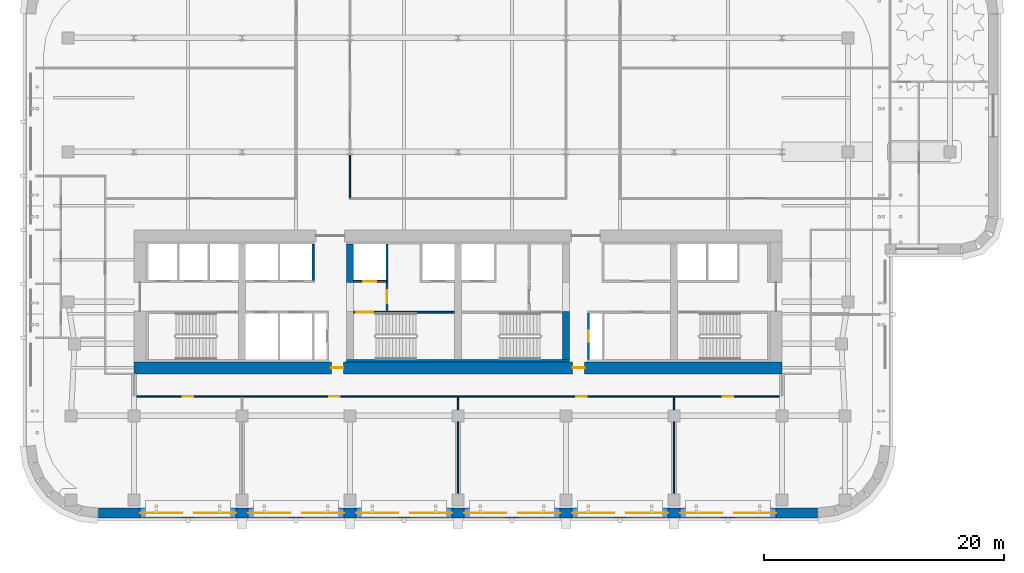
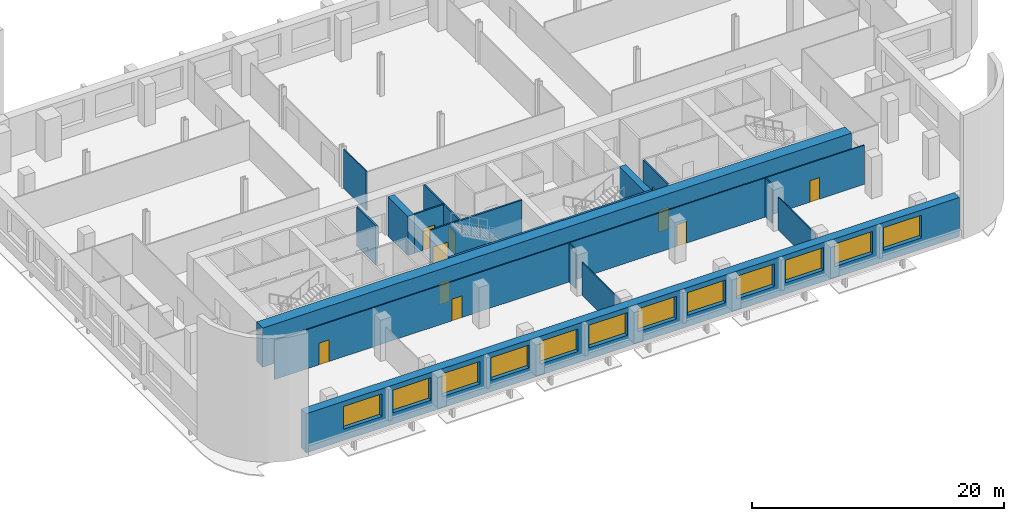
# One storey, part 4 of 13: 17 walls, 12 windows, 10 doors, 22 openings.
"""IFC4 building model written with IfcOpenShell, lengths in metres."""

from ifc_helpers import new_model, si_unit, direction, frame, frame_2d, origin, place, context, subcontext, project, spatial, rectangle, extrude, material, layer, layer_set, type_object, element, fill, save


model = new_model("IFC4")

# Units and contexts
model_context = context("Model", 3, precision=1e-05, world=origin(), true_north=direction((0.0, 1.0)))
body_context = subcontext(model_context, "Body", "Model", "MODEL_VIEW")
ifc_project = project(units=[si_unit("LENGTHUNIT", "METRE"), si_unit("AREAUNIT", "SQUARE_METRE"), si_unit("VOLUMEUNIT", "CUBIC_METRE"), si_unit("PLANEANGLEUNIT", "RADIAN"), si_unit("MASSUNIT", "GRAM", prefix="KILO")], contexts=[model_context])

# Site, building, storey
site_placement = place(None, origin())
site = spatial("IfcSite", under=ifc_project, at=site_placement, CompositionType="ELEMENT")
building_placement = place(site_placement, origin())
building = spatial("IfcBuilding", under=site, at=building_placement, Name="Zellij Exchange Tower", CompositionType="ELEMENT")
storey_placement = place(building_placement, frame((0.0, 0.0, 108.5)))
storey = spatial("IfcBuildingStorey", under=building, at=storey_placement, Name="L23", CompositionType="ELEMENT", Elevation=108.5)

# Walls
ifc_material_1 = material(Name="Concrete C70/85", Category="concrete")
ifc_layer_1 = layer(ifc_material_1, 0.60009765625)
ifc_layer_set_1 = layer_set([ifc_layer_1], Name="Concrete C70/85")
wall_type_1 = type_object("IfcWallType", Name="CORE-CW 600 C70/85", PredefinedType="SHEAR", material=ifc_layer_set_1)
wall_1_placement = place(storey_placement, frame((-9.0, -6.375, 0.0), z_axis=(0.0, 0.0, 1.0), x_axis=(0.0, 1.0, 0.0)))
element("IfcWall", 1, at=wall_1_placement, inside=storey, type_object=wall_type_1, Name="Core cross wall pier x -9 b L23", PredefinedType="SHEAR", context=body_context, shape_type="SweptSolid", body=[
    extrude(rectangle(XDim=3.175048828125, YDim=0.60009765625, at=frame_2d((1.58740234375, 0.0))), origin(), (0.0, 0.0, 1.0), 3.800048828125),
])
wall_2_placement = place(storey_placement, frame((9.0, -12.800048828125, 0.0), z_axis=(0.0, 0.0, 1.0), x_axis=(0.0, 1.0, 0.0)))
element("IfcWall", 2, at=wall_2_placement, inside=storey, type_object=wall_type_1, Name="Core cross wall pier x 9 a L23", PredefinedType="SHEAR", context=body_context, shape_type="SweptSolid", body=[
    extrude(rectangle(XDim=4.0, YDim=0.60009765625, at=frame_2d((2.0, 0.0))), origin(), (0.0, 0.0, 1.0), 3.800048828125),
])
ifc_material_2 = material(Name="Concrete C30/37", Category="concrete")
ifc_layer_2 = layer(ifc_material_2, 0.199951171875)
ifc_layer_set_2 = layer_set([ifc_layer_2], Name="Concrete C30/37")
wall_type_2 = type_object("IfcWallType", Name="CORE-LW 200 C30/37", PredefinedType="SHEAR", material=ifc_layer_set_2)
wall_3_placement = place(storey_placement, frame((-9.300048828125, -12.89990234375, 0.0), z_axis=(0.0, 0.0, 1.0), x_axis=(1.0, 0.0, 0.0)))
element("IfcWall", 3, at=wall_3_placement, inside=storey, type_object=wall_type_2, Name="Core wall lining rear.1 L23", PredefinedType="SHEAR", context=body_context, shape_type="SweptSolid", body=[
    extrude(rectangle(XDim=18.60009765625, YDim=0.199951171875, at=frame_2d((9.300048828125, 0.0))), origin(), (0.0, 0.0, 1.0), 3.800048828125),
])

# Wall, opening, door
ifc_material_3 = material(Name="Gypsum shaft wall system")
ifc_layer_3 = layer(ifc_material_3, 0.14990234375)
ifc_layer_set_3 = layer_set([ifc_layer_3], Name="Gypsum shaft wall system")
wall_type_3 = type_object("IfcWallType", Name="CORE-PW 150 Firefighting lobby wall", PredefinedType="PARTITIONING", material=ifc_layer_set_3)
wall_4_placement = place(storey_placement, frame((-5.925048828125, -8.800048828125, 0.0), z_axis=(0.0, 0.0, 1.0), x_axis=(0.0, 1.0, 0.0)))
wall_4 = element("IfcWall", 4, at=wall_4_placement, inside=storey, type_object=wall_type_3, Name="Firefighting lobby wall L23", PredefinedType="PARTITIONING", context=body_context, shape_type="SweptSolid", body=[
    extrude(rectangle(XDim=2.425048828125, YDim=0.14990234375, at=frame_2d((1.21240234375, 0.0))), origin(), (0.0, 0.0, 1.0), 3.800048828125),
])
opening_1_placement = place(wall_4_placement, frame((0.662109375, 0.0, 0.0)))
opening_1 = element("IfcOpeningElement", 5, at=opening_1_placement, cuts=wall_4, Name="Opening CA-13.15", PredefinedType="OPENING", context=body_context, shape_type="SweptSolid", body=[
    extrude(rectangle(XDim=1.10009765625, YDim=2.10009765625, at=frame_2d((0.550048828125, 1.050048828125))), frame((0.0, 0.0869140625, 0.0), z_axis=(0.0, -1.0, 0.0), x_axis=(1.0, 0.0, 0.0)), (0.0, 0.0, 1.0), 0.173828125),
])
ifc_material_4 = material(Name="Hollow metal fire door")
door_type_1 = type_object("IfcDoorType", Name="CORE-D F Firefighting lobby door 1100x2100 1 HR", OperationType="NOTDEFINED", PredefinedType="DOOR", material=ifc_material_4)
door_1_placement = place(opening_1_placement, origin())
door_1 = element("IfcDoor", 6, at=door_1_placement, inside=storey, type_object=door_type_1, Name="Firefighting lobby door CA-13.15", OperationType="SINGLE_SWING_LEFT", OverallHeight=2.10009765625, OverallWidth=1.10009765625, PredefinedType="DOOR", context=body_context, shape_type="SweptSolid", body=[
    extrude(rectangle(XDim=1.10009765625, YDim=2.10009765625, at=frame_2d((0.550048828125, 1.050048828125))), frame((0.0, 0.02490234375, 0.0), z_axis=(0.0, -1.0, 0.0), x_axis=(1.0, 0.0, 0.0)), (0.0, 0.0, 1.0), 0.050048828125),
])
fill(opening_1, door_1)

ifc_material_5 = material(Name="Gypsum board partition")
ifc_layer_4 = layer(ifc_material_5, 0.14990234375)
ifc_layer_set_4 = layer_set([ifc_layer_4], Name="Gypsum board partition")
wall_type_4 = type_object("IfcWallType", Name="CORE-PW 150 Lift lobby wall", PredefinedType="PARTITIONING", material=ifc_layer_set_4)
wall_5_placement = place(storey_placement, frame((10.875, -12.800048828125, 0.0), z_axis=(0.0, 0.0, 1.0), x_axis=(0.0, 1.0, 0.0)))
wall_5 = element("IfcWall", 7, at=wall_5_placement, inside=storey, type_object=wall_type_4, Name="Lift lobby wall L23", PredefinedType="PARTITIONING", context=body_context, shape_type="SweptSolid", body=[
    extrude(rectangle(XDim=3.85009765625, YDim=0.14990234375, at=frame_2d((1.925048828125, 0.0))), origin(), (0.0, 0.0, 1.0), 3.800048828125),
])
opening_2_placement = place(wall_5_placement, frame((1.47509765625, 0.0, 0.0)))
opening_2 = element("IfcOpeningElement", 8, at=opening_2_placement, cuts=wall_5, Name="Opening CA-13.22", PredefinedType="OPENING", context=body_context, shape_type="SweptSolid", body=[
    extrude(rectangle(XDim=0.89990234375, YDim=2.10009765625, at=frame_2d((0.449951171875, 1.050048828125))), frame((0.0, 0.0869140625, 0.0), z_axis=(0.0, -1.0, 0.0), x_axis=(1.0, 0.0, 0.0)), (0.0, 0.0, 1.0), 0.173828125),
])
door_type_2 = type_object("IfcDoorType", Name="CORE-D RD Riser door 900x2100 1.5 HR", OperationType="NOTDEFINED", PredefinedType="DOOR", material=ifc_material_4)
door_2_placement = place(opening_2_placement, origin())
door_2 = element("IfcDoor", 9, at=door_2_placement, inside=storey, type_object=door_type_2, Name="Riser door CA-13.22", OperationType="SINGLE_SWING_LEFT", OverallHeight=2.10009765625, OverallWidth=0.89990234375, PredefinedType="DOOR", context=body_context, shape_type="SweptSolid", body=[
    extrude(rectangle(XDim=0.89990234375, YDim=2.10009765625, at=frame_2d((0.449951171875, 1.050048828125))), frame((0.0, 0.02490234375, 0.0), z_axis=(0.0, -1.0, 0.0), x_axis=(1.0, 0.0, 0.0)), (0.0, 0.0, 1.0), 0.050048828125),
])
fill(opening_2, door_2)

# Walls
ifc_layer_5 = layer(ifc_material_3, 0.14990234375)
ifc_layer_set_5 = layer_set([ifc_layer_5], Name="Gypsum shaft wall system")
wall_type_5 = type_object("IfcWallType", Name="CORE-PW 150 Lift shaft wall", PredefinedType="PARTITIONING", material=ifc_layer_set_5)
for number, where, z_axis, x_axis, name in (
    (10, (-12.074951171875, -6.22509765625, 0.0), (0.0, 0.0, 1.0), (0.0, 1.0, 0.0), "Lift shaft wall L23"),
    (11, (-5.925048828125, -6.22509765625, 0.0), (0.0, 0.0, 1.0), (0.0, 1.0, 0.0), "Lift shaft wall L23"),
):
    element("IfcWall", number, at=place(storey_placement, frame(where, z_axis=z_axis, x_axis=x_axis)), inside=storey, type_object=wall_type_5, Name=name, PredefinedType="PARTITIONING", context=body_context, shape_type="SweptSolid", body=[
        extrude(rectangle(XDim=3.025146484375, YDim=0.14990234375, at=frame_2d((1.5126953125, 0.0))), origin(), (0.0, 0.0, 1.0), 3.800048828125),
    ])

# Wall, opening, door
wall_6_placement = place(storey_placement, frame((-8.699951171875, -6.300048828125, 0.0), z_axis=(0.0, 0.0, 1.0), x_axis=(1.0, 0.0, 0.0)))
wall_6 = element("IfcWall", 12, at=wall_6_placement, inside=storey, type_object=wall_type_5, Name="Lift shaft wall L23", PredefinedType="PARTITIONING", context=body_context, shape_type="SweptSolid", body=[
    extrude(rectangle(XDim=2.849853515625, YDim=0.14990234375, at=frame_2d((1.4248046875, 0.0))), origin(), (0.0, 0.0, 1.0), 3.800048828125),
])
opening_3_placement = place(wall_6_placement, frame((0.800048828125, 0.0, 0.0)))
opening_3 = element("IfcOpeningElement", 13, at=opening_3_placement, cuts=wall_6, Name="Opening CA-13.14", PredefinedType="OPENING", context=body_context, shape_type="SweptSolid", body=[
    extrude(rectangle(XDim=1.10009765625, YDim=2.10009765625, at=frame_2d((0.550048828125, 1.050048828125))), frame((0.0, 0.0869140625, 0.0), z_axis=(0.0, -1.0, 0.0), x_axis=(1.0, 0.0, 0.0)), (0.0, 0.0, 1.0), 0.173828125),
])
door_type_3 = type_object("IfcDoorType", Name="CORE-D LD Lift landing door 1100x2100 1.5 HR", OperationType="NOTDEFINED", PredefinedType="DOOR", material=ifc_material_4)
door_3_placement = place(opening_3_placement, origin())
door_3 = element("IfcDoor", 14, at=door_3_placement, inside=storey, type_object=door_type_3, Name="Lift landing door CA-13.14", OperationType="SLIDING_TO_RIGHT", OverallHeight=2.10009765625, OverallWidth=1.10009765625, PredefinedType="DOOR", context=body_context, shape_type="SweptSolid", body=[
    extrude(rectangle(XDim=1.10009765625, YDim=2.10009765625, at=frame_2d((0.550048828125, 1.050048828125))), frame((0.0, 0.02490234375, 0.0), z_axis=(0.0, -1.0, 0.0), x_axis=(1.0, 0.0, 0.0)), (0.0, 0.0, 1.0), 0.050048828125),
])
fill(opening_3, door_3)

# Wall, openings, doors
ifc_layer_6 = layer(ifc_material_1, 1.0)
ifc_layer_set_6 = layer_set([ifc_layer_6], Name="Concrete C70/85")
wall_type_6 = type_object("IfcWallType", Name="CORE-SW 1000 C70/85", PredefinedType="SHEAR", material=ifc_layer_set_6)
wall_7_placement = place(storey_placement, frame((-27.0, -13.5, 0.0), z_axis=(0.0, 0.0, 1.0), x_axis=(1.0, 0.0, 0.0)))
wall_7 = element("IfcWall", 15, at=wall_7_placement, inside=storey, type_object=wall_type_6, Name="Core shear wall rear L23", PredefinedType="SHEAR", context=body_context, shape_type="SweptSolid", body=[
    extrude(rectangle(XDim=54.0, YDim=1.0, at=frame_2d((27.0, 0.0))), origin(), (0.0, 0.0, 1.0), 3.800048828125),
])
opening_4_placement = place(wall_7_placement, frame((16.449951171875, 0.0, 0.0)))
opening_4 = element("IfcOpeningElement", 16, at=opening_4_placement, cuts=wall_7, Name="Opening CA-13.12", PredefinedType="OPENING", context=body_context, shape_type="SweptSolid", body=[
    extrude(rectangle(XDim=1.0, YDim=2.10009765625, at=frame_2d((0.5, 1.050048828125))), frame((0.0, 0.511962890625, 0.0), z_axis=(0.0, -1.0, 0.0), x_axis=(1.0, 0.0, 0.0)), (0.0, 0.0, 1.0), 1.02392578125),
])
opening_5_placement = place(wall_7_placement, frame((36.550048828125, 0.0, 0.0)))
opening_5 = element("IfcOpeningElement", 17, at=opening_5_placement, cuts=wall_7, Name="Opening CA-13.20", PredefinedType="OPENING", context=body_context, shape_type="SweptSolid", body=[
    extrude(rectangle(XDim=1.0, YDim=2.10009765625, at=frame_2d((0.5, 1.050048828125))), frame((0.0, 0.511962890625, 0.0), z_axis=(0.0, -1.0, 0.0), x_axis=(1.0, 0.0, 0.0)), (0.0, 0.0, 1.0), 1.02392578125),
])
door_type_4 = type_object("IfcDoorType", Name="CORE-D CR Core rear door 1000x2100 20 MIN", OperationType="NOTDEFINED", PredefinedType="DOOR", material=ifc_material_4)
door_4_placement = place(opening_4_placement, origin())
door_4 = element("IfcDoor", 18, at=door_4_placement, inside=storey, type_object=door_type_4, Name="Core rear door CA-13.12", OperationType="SINGLE_SWING_RIGHT", OverallHeight=2.10009765625, OverallWidth=1.0, PredefinedType="DOOR", context=body_context, shape_type="SweptSolid", body=[
    extrude(rectangle(XDim=1.0, YDim=2.10009765625, at=frame_2d((0.5, 1.050048828125))), frame((0.0, 0.02490234375, 0.0), z_axis=(0.0, -1.0, 0.0), x_axis=(1.0, 0.0, 0.0)), (0.0, 0.0, 1.0), 0.050048828125),
])
fill(opening_4, door_4)
door_5_placement = place(opening_5_placement, origin())
door_5 = element("IfcDoor", 19, at=door_5_placement, inside=storey, type_object=door_type_4, Name="Core rear door CA-13.20", OperationType="SINGLE_SWING_LEFT", OverallHeight=2.10009765625, OverallWidth=1.0, PredefinedType="DOOR", context=body_context, shape_type="SweptSolid", body=[
    extrude(rectangle(XDim=1.0, YDim=2.10009765625, at=frame_2d((0.5, 1.050048828125))), frame((0.0, 0.02490234375, 0.0), z_axis=(0.0, -1.0, 0.0), x_axis=(1.0, 0.0, 0.0)), (0.0, 0.0, 1.0), 0.050048828125),
])
fill(opening_5, door_5)

# Wall, opening, door
ifc_layer_7 = layer(ifc_material_1, 0.14990234375)
ifc_layer_set_7 = layer_set([ifc_layer_7], Name="Concrete C70/85")
wall_type_7 = type_object("IfcWallType", Name="CORE-SWS 150 C70/85", PredefinedType="SHEAR", material=ifc_layer_set_7)
wall_8_placement = place(storey_placement, frame((-8.699951171875, -8.875, 0.0), z_axis=(0.0, 0.0, 1.0), x_axis=(1.0, 0.0, 0.0)))
wall_8 = element("IfcWall", 20, at=wall_8_placement, inside=storey, type_object=wall_type_7, Name="Stair enclosure wall L23", PredefinedType="SHEAR", context=body_context, shape_type="SweptSolid", body=[
    extrude(rectangle(XDim=8.39990234375, YDim=0.14990234375, at=frame_2d((4.199951171875, 0.0))), origin(), (0.0, 0.0, 1.0), 3.800048828125),
])
opening_6_placement = place(wall_8_placement, frame((0.22509765625, 0.0, 0.0)))
opening_6 = element("IfcOpeningElement", 21, at=opening_6_placement, cuts=wall_8, Name="Opening CA-13.13", PredefinedType="OPENING", context=body_context, shape_type="SweptSolid", body=[
    extrude(rectangle(XDim=1.39990234375, YDim=2.10009765625, at=frame_2d((0.699951171875, 1.050048828125))), frame((0.0, 0.0869140625, 0.0), z_axis=(0.0, -1.0, 0.0), x_axis=(1.0, 0.0, 0.0)), (0.0, 0.0, 1.0), 0.173828125),
])
door_type_5 = type_object("IfcDoorType", Name="CORE-D SD Stair door 1400x2100 1.5 HR", OperationType="NOTDEFINED", PredefinedType="DOOR", material=ifc_material_4)
door_6_placement = place(opening_6_placement, origin())
door_6 = element("IfcDoor", 22, at=door_6_placement, inside=storey, type_object=door_type_5, Name="Stair door CA-13.13", OperationType="DOUBLE_DOOR_SINGLE_SWING", OverallHeight=2.10009765625, OverallWidth=1.39990234375, PredefinedType="DOOR", context=body_context, shape_type="SweptSolid", body=[
    extrude(rectangle(XDim=1.39990234375, YDim=2.10009765625, at=frame_2d((0.699951171875, 1.050048828125))), frame((0.0, 0.02490234375, 0.0), z_axis=(0.0, -1.0, 0.0), x_axis=(1.0, 0.0, 0.0)), (0.0, 0.0, 1.0), 0.050048828125),
])
fill(opening_6, door_6)

# Wall, openings, windows
ifc_material_6 = material(Name="Precast concrete C40/50", Category="concrete")
ifc_layer_8 = layer(ifc_material_6, 0.800048828125)
ifc_layer_set_8 = layer_set([ifc_layer_8], Name="Precast concrete C40/50")
wall_type_8 = type_object("IfcWallType", Name="ENV-EW1 Precast stone-piered wall 800", PredefinedType="SOLIDWALL", material=ifc_layer_set_8)
wall_9_placement = place(storey_placement, frame((-29.947509765625, -25.60009765625, 0.0), z_axis=(0.0, 0.0, 1.0), x_axis=(1.0, 0.0, 0.0)))
wall_9 = element("IfcWall", 23, at=wall_9_placement, inside=storey, type_object=wall_type_8, Name="fac.L23.00", PredefinedType="SOLIDWALL", context=body_context, shape_type="SweptSolid", body=[
    extrude(rectangle(XDim=59.89501953125, YDim=0.800048828125, at=frame_2d((29.947509765625, 0.0))), origin(), (0.0, 0.0, 1.0), 3.800048828125),
])
opening_7_placement = place(wall_9_placement, frame((3.447509765625, 0.0, 1.10009765625)))
opening_7 = element("IfcOpeningElement", 24, at=opening_7_placement, cuts=wall_9, Name="Opening FZ2.01", PredefinedType="OPENING", context=body_context, shape_type="SweptSolid", body=[
    extrude(rectangle(XDim=3.5, YDim=2.199951171875, at=frame_2d((1.75, 1.10009765625))), frame((0.0, 0.412109375, 0.0), z_axis=(0.0, -1.0, 0.0), x_axis=(1.0, 0.0, 0.0)), (0.0, 0.0, 1.0), 0.823974609375),
])
opening_8_placement = place(wall_9_placement, frame((7.947509765625, 0.0, 1.10009765625)))
opening_8 = element("IfcOpeningElement", 25, at=opening_8_placement, cuts=wall_9, Name="Opening FZ2.02", PredefinedType="OPENING", context=body_context, shape_type="SweptSolid", body=[
    extrude(rectangle(XDim=3.5, YDim=2.199951171875, at=frame_2d((1.75, 1.10009765625))), frame((0.0, 0.412109375, 0.0), z_axis=(0.0, -1.0, 0.0), x_axis=(1.0, 0.0, 0.0)), (0.0, 0.0, 1.0), 0.823974609375),
])
opening_9_placement = place(wall_9_placement, frame((12.447509765625, 0.0, 1.10009765625)))
opening_9 = element("IfcOpeningElement", 26, at=opening_9_placement, cuts=wall_9, Name="Opening FZ2.03", PredefinedType="OPENING", context=body_context, shape_type="SweptSolid", body=[
    extrude(rectangle(XDim=3.5, YDim=2.199951171875, at=frame_2d((1.75, 1.10009765625))), frame((0.0, 0.412109375, 0.0), z_axis=(0.0, -1.0, 0.0), x_axis=(1.0, 0.0, 0.0)), (0.0, 0.0, 1.0), 0.823974609375),
])
opening_10_placement = place(wall_9_placement, frame((16.947509765625, 0.0, 1.10009765625)))
opening_10 = element("IfcOpeningElement", 27, at=opening_10_placement, cuts=wall_9, Name="Opening FZ2.04", PredefinedType="OPENING", context=body_context, shape_type="SweptSolid", body=[
    extrude(rectangle(XDim=3.5, YDim=2.199951171875, at=frame_2d((1.75, 1.10009765625))), frame((0.0, 0.412109375, 0.0), z_axis=(0.0, -1.0, 0.0), x_axis=(1.0, 0.0, 0.0)), (0.0, 0.0, 1.0), 0.823974609375),
])
opening_11_placement = place(wall_9_placement, frame((21.447509765625, 0.0, 1.10009765625)))
opening_11 = element("IfcOpeningElement", 28, at=opening_11_placement, cuts=wall_9, Name="Opening FZ2.05", PredefinedType="OPENING", context=body_context, shape_type="SweptSolid", body=[
    extrude(rectangle(XDim=3.5, YDim=2.199951171875, at=frame_2d((1.75, 1.10009765625))), frame((0.0, 0.412109375, 0.0), z_axis=(0.0, -1.0, 0.0), x_axis=(1.0, 0.0, 0.0)), (0.0, 0.0, 1.0), 0.823974609375),
])
opening_12_placement = place(wall_9_placement, frame((25.947509765625, 0.0, 1.10009765625)))
opening_12 = element("IfcOpeningElement", 29, at=opening_12_placement, cuts=wall_9, Name="Opening FZ2.06", PredefinedType="OPENING", context=body_context, shape_type="SweptSolid", body=[
    extrude(rectangle(XDim=3.5, YDim=2.199951171875, at=frame_2d((1.75, 1.10009765625))), frame((0.0, 0.412109375, 0.0), z_axis=(0.0, -1.0, 0.0), x_axis=(1.0, 0.0, 0.0)), (0.0, 0.0, 1.0), 0.823974609375),
])
opening_13_placement = place(wall_9_placement, frame((30.447509765625, 0.0, 1.10009765625)))
opening_13 = element("IfcOpeningElement", 30, at=opening_13_placement, cuts=wall_9, Name="Opening FZ2.07", PredefinedType="OPENING", context=body_context, shape_type="SweptSolid", body=[
    extrude(rectangle(XDim=3.5, YDim=2.199951171875, at=frame_2d((1.75, 1.10009765625))), frame((0.0, 0.412109375, 0.0), z_axis=(0.0, -1.0, 0.0), x_axis=(1.0, 0.0, 0.0)), (0.0, 0.0, 1.0), 0.823974609375),
])
opening_14_placement = place(wall_9_placement, frame((34.947509765625, 0.0, 1.10009765625)))
opening_14 = element("IfcOpeningElement", 31, at=opening_14_placement, cuts=wall_9, Name="Opening FZ2.08", PredefinedType="OPENING", context=body_context, shape_type="SweptSolid", body=[
    extrude(rectangle(XDim=3.5, YDim=2.199951171875, at=frame_2d((1.75, 1.10009765625))), frame((0.0, 0.412109375, 0.0), z_axis=(0.0, -1.0, 0.0), x_axis=(1.0, 0.0, 0.0)), (0.0, 0.0, 1.0), 0.823974609375),
])
opening_15_placement = place(wall_9_placement, frame((39.447509765625, 0.0, 1.10009765625)))
opening_15 = element("IfcOpeningElement", 32, at=opening_15_placement, cuts=wall_9, Name="Opening FZ2.09", PredefinedType="OPENING", context=body_context, shape_type="SweptSolid", body=[
    extrude(rectangle(XDim=3.5, YDim=2.199951171875, at=frame_2d((1.75, 1.10009765625))), frame((0.0, 0.412109375, 0.0), z_axis=(0.0, -1.0, 0.0), x_axis=(1.0, 0.0, 0.0)), (0.0, 0.0, 1.0), 0.823974609375),
])
opening_16_placement = place(wall_9_placement, frame((43.947509765625, 0.0, 1.10009765625)))
opening_16 = element("IfcOpeningElement", 33, at=opening_16_placement, cuts=wall_9, Name="Opening FZ2.10", PredefinedType="OPENING", context=body_context, shape_type="SweptSolid", body=[
    extrude(rectangle(XDim=3.5, YDim=2.199951171875, at=frame_2d((1.75, 1.10009765625))), frame((0.0, 0.412109375, 0.0), z_axis=(0.0, -1.0, 0.0), x_axis=(1.0, 0.0, 0.0)), (0.0, 0.0, 1.0), 0.823974609375),
])
opening_17_placement = place(wall_9_placement, frame((48.447509765625, 0.0, 1.10009765625)))
opening_17 = element("IfcOpeningElement", 34, at=opening_17_placement, cuts=wall_9, Name="Opening FZ2.11", PredefinedType="OPENING", context=body_context, shape_type="SweptSolid", body=[
    extrude(rectangle(XDim=3.5, YDim=2.199951171875, at=frame_2d((1.75, 1.10009765625))), frame((0.0, 0.412109375, 0.0), z_axis=(0.0, -1.0, 0.0), x_axis=(1.0, 0.0, 0.0)), (0.0, 0.0, 1.0), 0.823974609375),
])
opening_18_placement = place(wall_9_placement, frame((52.947509765625, 0.0, 1.10009765625)))
opening_18 = element("IfcOpeningElement", 35, at=opening_18_placement, cuts=wall_9, Name="Opening FZ2.12", PredefinedType="OPENING", context=body_context, shape_type="SweptSolid", body=[
    extrude(rectangle(XDim=3.5, YDim=2.199951171875, at=frame_2d((1.75, 1.10009765625))), frame((0.0, 0.412109375, 0.0), z_axis=(0.0, -1.0, 0.0), x_axis=(1.0, 0.0, 0.0)), (0.0, 0.0, 1.0), 0.823974609375),
])
ifc_material_7 = material(Name="Aluminium frame with insulating glass", Category="aluminium")
window_type = type_object("IfcWindowType", Name="ENV-W7 Window 3500x2200", PartitioningType="SINGLE_PANEL", PredefinedType="WINDOW", material=ifc_material_7)
window_1_placement = place(opening_7_placement, origin())
window_1 = element("IfcWindow", 36, at=window_1_placement, inside=storey, type_object=window_type, Name="Window FZ2.01", OverallHeight=2.199951171875, OverallWidth=3.5, PartitioningType="SINGLE_PANEL", PredefinedType="WINDOW", context=body_context, shape_type="SweptSolid", body=[
    extrude(rectangle(XDim=3.5, YDim=2.199951171875, at=frame_2d((1.75, 1.10009765625))), frame((0.0, 0.030029296875, 0.0), z_axis=(0.0, -1.0, 0.0), x_axis=(1.0, 0.0, 0.0)), (0.0, 0.0, 1.0), 0.06005859375),
])
fill(opening_7, window_1)
window_2_placement = place(opening_8_placement, origin())
window_2 = element("IfcWindow", 37, at=window_2_placement, inside=storey, type_object=window_type, Name="Window FZ2.02", OverallHeight=2.199951171875, OverallWidth=3.5, PartitioningType="SINGLE_PANEL", PredefinedType="WINDOW", context=body_context, shape_type="SweptSolid", body=[
    extrude(rectangle(XDim=3.5, YDim=2.199951171875, at=frame_2d((1.75, 1.10009765625))), frame((0.0, 0.030029296875, 0.0), z_axis=(0.0, -1.0, 0.0), x_axis=(1.0, 0.0, 0.0)), (0.0, 0.0, 1.0), 0.06005859375),
])
fill(opening_8, window_2)
window_3_placement = place(opening_9_placement, origin())
window_3 = element("IfcWindow", 38, at=window_3_placement, inside=storey, type_object=window_type, Name="Window FZ2.03", OverallHeight=2.199951171875, OverallWidth=3.5, PartitioningType="SINGLE_PANEL", PredefinedType="WINDOW", context=body_context, shape_type="SweptSolid", body=[
    extrude(rectangle(XDim=3.5, YDim=2.199951171875, at=frame_2d((1.75, 1.10009765625))), frame((0.0, 0.030029296875, 0.0), z_axis=(0.0, -1.0, 0.0), x_axis=(1.0, 0.0, 0.0)), (0.0, 0.0, 1.0), 0.06005859375),
])
fill(opening_9, window_3)
window_4_placement = place(opening_10_placement, origin())
window_4 = element("IfcWindow", 39, at=window_4_placement, inside=storey, type_object=window_type, Name="Window FZ2.04", OverallHeight=2.199951171875, OverallWidth=3.5, PartitioningType="SINGLE_PANEL", PredefinedType="WINDOW", context=body_context, shape_type="SweptSolid", body=[
    extrude(rectangle(XDim=3.5, YDim=2.199951171875, at=frame_2d((1.75, 1.10009765625))), frame((0.0, 0.030029296875, 0.0), z_axis=(0.0, -1.0, 0.0), x_axis=(1.0, 0.0, 0.0)), (0.0, 0.0, 1.0), 0.06005859375),
])
fill(opening_10, window_4)
window_5_placement = place(opening_11_placement, origin())
window_5 = element("IfcWindow", 40, at=window_5_placement, inside=storey, type_object=window_type, Name="Window FZ2.05", OverallHeight=2.199951171875, OverallWidth=3.5, PartitioningType="SINGLE_PANEL", PredefinedType="WINDOW", context=body_context, shape_type="SweptSolid", body=[
    extrude(rectangle(XDim=3.5, YDim=2.199951171875, at=frame_2d((1.75, 1.10009765625))), frame((0.0, 0.030029296875, 0.0), z_axis=(0.0, -1.0, 0.0), x_axis=(1.0, 0.0, 0.0)), (0.0, 0.0, 1.0), 0.06005859375),
])
fill(opening_11, window_5)
window_6_placement = place(opening_12_placement, origin())
window_6 = element("IfcWindow", 41, at=window_6_placement, inside=storey, type_object=window_type, Name="Window FZ2.06", OverallHeight=2.199951171875, OverallWidth=3.5, PartitioningType="SINGLE_PANEL", PredefinedType="WINDOW", context=body_context, shape_type="SweptSolid", body=[
    extrude(rectangle(XDim=3.5, YDim=2.199951171875, at=frame_2d((1.75, 1.10009765625))), frame((0.0, 0.030029296875, 0.0), z_axis=(0.0, -1.0, 0.0), x_axis=(1.0, 0.0, 0.0)), (0.0, 0.0, 1.0), 0.06005859375),
])
fill(opening_12, window_6)
window_7_placement = place(opening_13_placement, origin())
window_7 = element("IfcWindow", 42, at=window_7_placement, inside=storey, type_object=window_type, Name="Window FZ2.07", OverallHeight=2.199951171875, OverallWidth=3.5, PartitioningType="SINGLE_PANEL", PredefinedType="WINDOW", context=body_context, shape_type="SweptSolid", body=[
    extrude(rectangle(XDim=3.5, YDim=2.199951171875, at=frame_2d((1.75, 1.10009765625))), frame((0.0, 0.030029296875, 0.0), z_axis=(0.0, -1.0, 0.0), x_axis=(1.0, 0.0, 0.0)), (0.0, 0.0, 1.0), 0.06005859375),
])
fill(opening_13, window_7)
window_8_placement = place(opening_14_placement, origin())
window_8 = element("IfcWindow", 43, at=window_8_placement, inside=storey, type_object=window_type, Name="Window FZ2.08", OverallHeight=2.199951171875, OverallWidth=3.5, PartitioningType="SINGLE_PANEL", PredefinedType="WINDOW", context=body_context, shape_type="SweptSolid", body=[
    extrude(rectangle(XDim=3.5, YDim=2.199951171875, at=frame_2d((1.75, 1.10009765625))), frame((0.0, 0.030029296875, 0.0), z_axis=(0.0, -1.0, 0.0), x_axis=(1.0, 0.0, 0.0)), (0.0, 0.0, 1.0), 0.06005859375),
])
fill(opening_14, window_8)
window_9_placement = place(opening_15_placement, origin())
window_9 = element("IfcWindow", 44, at=window_9_placement, inside=storey, type_object=window_type, Name="Window FZ2.09", OverallHeight=2.199951171875, OverallWidth=3.5, PartitioningType="SINGLE_PANEL", PredefinedType="WINDOW", context=body_context, shape_type="SweptSolid", body=[
    extrude(rectangle(XDim=3.5, YDim=2.199951171875, at=frame_2d((1.75, 1.10009765625))), frame((0.0, 0.030029296875, 0.0), z_axis=(0.0, -1.0, 0.0), x_axis=(1.0, 0.0, 0.0)), (0.0, 0.0, 1.0), 0.06005859375),
])
fill(opening_15, window_9)
window_10_placement = place(opening_16_placement, origin())
window_10 = element("IfcWindow", 45, at=window_10_placement, inside=storey, type_object=window_type, Name="Window FZ2.10", OverallHeight=2.199951171875, OverallWidth=3.5, PartitioningType="SINGLE_PANEL", PredefinedType="WINDOW", context=body_context, shape_type="SweptSolid", body=[
    extrude(rectangle(XDim=3.5, YDim=2.199951171875, at=frame_2d((1.75, 1.10009765625))), frame((0.0, 0.030029296875, 0.0), z_axis=(0.0, -1.0, 0.0), x_axis=(1.0, 0.0, 0.0)), (0.0, 0.0, 1.0), 0.06005859375),
])
fill(opening_16, window_10)
window_11_placement = place(opening_17_placement, origin())
window_11 = element("IfcWindow", 46, at=window_11_placement, inside=storey, type_object=window_type, Name="Window FZ2.11", OverallHeight=2.199951171875, OverallWidth=3.5, PartitioningType="SINGLE_PANEL", PredefinedType="WINDOW", context=body_context, shape_type="SweptSolid", body=[
    extrude(rectangle(XDim=3.5, YDim=2.199951171875, at=frame_2d((1.75, 1.10009765625))), frame((0.0, 0.030029296875, 0.0), z_axis=(0.0, -1.0, 0.0), x_axis=(1.0, 0.0, 0.0)), (0.0, 0.0, 1.0), 0.06005859375),
])
fill(opening_17, window_11)
window_12_placement = place(opening_18_placement, origin())
window_12 = element("IfcWindow", 47, at=window_12_placement, inside=storey, type_object=window_type, Name="Window FZ2.12", OverallHeight=2.199951171875, OverallWidth=3.5, PartitioningType="SINGLE_PANEL", PredefinedType="WINDOW", context=body_context, shape_type="SweptSolid", body=[
    extrude(rectangle(XDim=3.5, YDim=2.199951171875, at=frame_2d((1.75, 1.10009765625))), frame((0.0, 0.030029296875, 0.0), z_axis=(0.0, -1.0, 0.0), x_axis=(1.0, 0.0, 0.0)), (0.0, 0.0, 1.0), 0.06005859375),
])
fill(opening_18, window_12)

# Walls
ifc_material_8 = material(Name="Gypsum board partition on steel studs", Category="steel")
ifc_layer_9 = layer(ifc_material_8, 0.10009765625)
ifc_layer_set_9 = layer_set([ifc_layer_9], Name="Gypsum board partition on steel studs")
wall_type_9 = type_object("IfcWallType", Name="FIT-PARTITION-100", PredefinedType="PARTITIONING", material=ifc_layer_set_9)
wall_10_placement = place(storey_placement, frame((0.0, -23.949951171875, 0.0), z_axis=(0.0, 0.0, 1.0), x_axis=(0.0, 1.0, 0.0)))
element("IfcWall", 48, at=wall_10_placement, inside=storey, type_object=wall_type_9, Name="FIT-PARTITION-100 003", PredefinedType="PARTITIONING", context=body_context, shape_type="SweptSolid", body=[
    extrude(rectangle(XDim=5.949951171875, YDim=0.10009765625, at=frame_2d((2.97509765625, 0.0))), origin(), (0.0, 0.0, 1.0), 3.18798828125),
])
wall_11_placement = place(storey_placement, frame((0.0, -17.0, 0.0), z_axis=(0.0, 0.0, 1.0), x_axis=(0.0, 1.0, 0.0)))
element("IfcWall", 49, at=wall_11_placement, inside=storey, type_object=wall_type_9, Name="FIT-PARTITION-100 004", PredefinedType="PARTITIONING", context=body_context, shape_type="SweptSolid", body=[
    extrude(rectangle(XDim=1.050048828125, YDim=0.10009765625, at=frame_2d((0.52490234375, 0.0))), origin(), (0.0, 0.0, 1.0), 3.800048828125),
])
wall_12_placement = place(storey_placement, frame((18.0, -23.949951171875, 0.0), z_axis=(0.0, 0.0, 1.0), x_axis=(0.0, 1.0, 0.0)))
element("IfcWall", 50, at=wall_12_placement, inside=storey, type_object=wall_type_9, Name="FIT-PARTITION-100 005", PredefinedType="PARTITIONING", context=body_context, shape_type="SweptSolid", body=[
    extrude(rectangle(XDim=5.949951171875, YDim=0.10009765625, at=frame_2d((2.97509765625, 0.0))), origin(), (0.0, 0.0, 1.0), 3.18798828125),
])
wall_13_placement = place(storey_placement, frame((18.0, -17.0, 0.0), z_axis=(0.0, 0.0, 1.0), x_axis=(0.0, 1.0, 0.0)))
element("IfcWall", 51, at=wall_13_placement, inside=storey, type_object=wall_type_9, Name="FIT-PARTITION-100 006", PredefinedType="PARTITIONING", context=body_context, shape_type="SweptSolid", body=[
    extrude(rectangle(XDim=1.050048828125, YDim=0.10009765625, at=frame_2d((0.52490234375, 0.0))), origin(), (0.0, 0.0, 1.0), 3.800048828125),
])

# Wall, openings, doors
wall_14_placement = place(storey_placement, frame((-27.050048828125, -15.89990234375, 0.0), z_axis=(0.0, 0.0, 1.0), x_axis=(1.0, 0.0, 0.0)))
wall_14 = element("IfcWall", 52, at=wall_14_placement, inside=storey, type_object=wall_type_9, Name="FIT-PARTITION-100 007", PredefinedType="PARTITIONING", context=body_context, shape_type="SweptSolid", body=[
    extrude(rectangle(XDim=54.10009765625, YDim=0.10009765625, at=frame_2d((27.050048828125, 0.0))), origin(), (0.0, 0.0, 1.0), 3.800048828125),
])
opening_19_placement = place(wall_14_placement, frame((4.10009765625, 0.0, 0.0)))
opening_19 = element("IfcOpeningElement", 53, at=opening_19_placement, cuts=wall_14, Name="Opening TE.01", PredefinedType="OPENING", context=body_context, shape_type="SweptSolid", body=[
    extrude(rectangle(XDim=0.89990234375, YDim=2.10009765625, at=frame_2d((0.449951171875, 1.050048828125))), frame((0.0, 0.06201171875, 0.0), z_axis=(0.0, -1.0, 0.0), x_axis=(1.0, 0.0, 0.0)), (0.0, 0.0, 1.0), 0.1240234375),
])
opening_20_placement = place(wall_14_placement, frame((16.300048828125, 0.0, 0.0)))
opening_20 = element("IfcOpeningElement", 54, at=opening_20_placement, cuts=wall_14, Name="Opening TE.02", PredefinedType="OPENING", context=body_context, shape_type="SweptSolid", body=[
    extrude(rectangle(XDim=0.89990234375, YDim=2.10009765625, at=frame_2d((0.449951171875, 1.050048828125))), frame((0.0, 0.06201171875, 0.0), z_axis=(0.0, -1.0, 0.0), x_axis=(1.0, 0.0, 0.0)), (0.0, 0.0, 1.0), 0.1240234375),
])
opening_21_placement = place(wall_14_placement, frame((36.89990234375, 0.0, 0.0)))
opening_21 = element("IfcOpeningElement", 55, at=opening_21_placement, cuts=wall_14, Name="Opening TE.03", PredefinedType="OPENING", context=body_context, shape_type="SweptSolid", body=[
    extrude(rectangle(XDim=0.89990234375, YDim=2.10009765625, at=frame_2d((0.449951171875, 1.050048828125))), frame((0.0, 0.06201171875, 0.0), z_axis=(0.0, -1.0, 0.0), x_axis=(1.0, 0.0, 0.0)), (0.0, 0.0, 1.0), 0.1240234375),
])
opening_22_placement = place(wall_14_placement, frame((49.10009765625, 0.0, 0.0)))
opening_22 = element("IfcOpeningElement", 56, at=opening_22_placement, cuts=wall_14, Name="Opening TE.04", PredefinedType="OPENING", context=body_context, shape_type="SweptSolid", body=[
    extrude(rectangle(XDim=0.89990234375, YDim=2.10009765625, at=frame_2d((0.449951171875, 1.050048828125))), frame((0.0, 0.06201171875, 0.0), z_axis=(0.0, -1.0, 0.0), x_axis=(1.0, 0.0, 0.0)), (0.0, 0.0, 1.0), 0.1240234375),
])
ifc_material_9 = material(Name="Timber door set", Category="wood")
door_type_6 = type_object("IfcDoorType", Name="FIT-D1-ROOM-900X2100", OperationType="SINGLE_SWING_LEFT", PredefinedType="DOOR", material=ifc_material_9)
door_7_placement = place(opening_19_placement, origin())
door_7 = element("IfcDoor", 57, at=door_7_placement, inside=storey, type_object=door_type_6, Name="Door TE.01", OperationType="SINGLE_SWING_LEFT", OverallHeight=2.10009765625, OverallWidth=0.89990234375, PredefinedType="DOOR", context=body_context, shape_type="SweptSolid", body=[
    extrude(rectangle(XDim=0.89990234375, YDim=2.10009765625, at=frame_2d((0.449951171875, 1.050048828125))), frame((0.0, 0.02490234375, 0.0), z_axis=(0.0, -1.0, 0.0), x_axis=(1.0, 0.0, 0.0)), (0.0, 0.0, 1.0), 0.050048828125),
])
fill(opening_19, door_7)
door_8_placement = place(opening_20_placement, origin())
door_8 = element("IfcDoor", 58, at=door_8_placement, inside=storey, type_object=door_type_6, Name="Door TE.02", OperationType="SINGLE_SWING_LEFT", OverallHeight=2.10009765625, OverallWidth=0.89990234375, PredefinedType="DOOR", context=body_context, shape_type="SweptSolid", body=[
    extrude(rectangle(XDim=0.89990234375, YDim=2.10009765625, at=frame_2d((0.449951171875, 1.050048828125))), frame((0.0, 0.02490234375, 0.0), z_axis=(0.0, -1.0, 0.0), x_axis=(1.0, 0.0, 0.0)), (0.0, 0.0, 1.0), 0.050048828125),
])
fill(opening_20, door_8)
door_9_placement = place(opening_21_placement, origin())
door_9 = element("IfcDoor", 59, at=door_9_placement, inside=storey, type_object=door_type_6, Name="Door TE.03", OperationType="SINGLE_SWING_RIGHT", OverallHeight=2.10009765625, OverallWidth=0.89990234375, PredefinedType="DOOR", context=body_context, shape_type="SweptSolid", body=[
    extrude(rectangle(XDim=0.89990234375, YDim=2.10009765625, at=frame_2d((0.449951171875, 1.050048828125))), frame((0.0, 0.02490234375, 0.0), z_axis=(0.0, -1.0, 0.0), x_axis=(1.0, 0.0, 0.0)), (0.0, 0.0, 1.0), 0.050048828125),
])
fill(opening_21, door_9)
door_10_placement = place(opening_22_placement, origin())
door_10 = element("IfcDoor", 60, at=door_10_placement, inside=storey, type_object=door_type_6, Name="Door TE.04", OperationType="SINGLE_SWING_LEFT", OverallHeight=2.10009765625, OverallWidth=0.89990234375, PredefinedType="DOOR", context=body_context, shape_type="SweptSolid", body=[
    extrude(rectangle(XDim=0.89990234375, YDim=2.10009765625, at=frame_2d((0.449951171875, 1.050048828125))), frame((0.0, 0.02490234375, 0.0), z_axis=(0.0, -1.0, 0.0), x_axis=(1.0, 0.0, 0.0)), (0.0, 0.0, 1.0), 0.050048828125),
])
fill(opening_22, door_10)

# Wall
wall_15_placement = place(storey_placement, frame((-9.0, 0.64990234375, 0.0), z_axis=(0.0, 0.0, 1.0), x_axis=(0.0, 1.0, 0.0)))
element("IfcWall", 61, at=wall_15_placement, inside=storey, type_object=wall_type_9, Name="FIT-PARTITION-100 027", PredefinedType="PARTITIONING", context=body_context, shape_type="SweptSolid", body=[
    extrude(rectangle(XDim=3.622802734375, YDim=0.10009765625, at=frame_2d((1.8115234375, 0.0))), origin(), (0.0, 0.0, 1.0), 3.800048828125),
])

save(model, "model.ifc")
